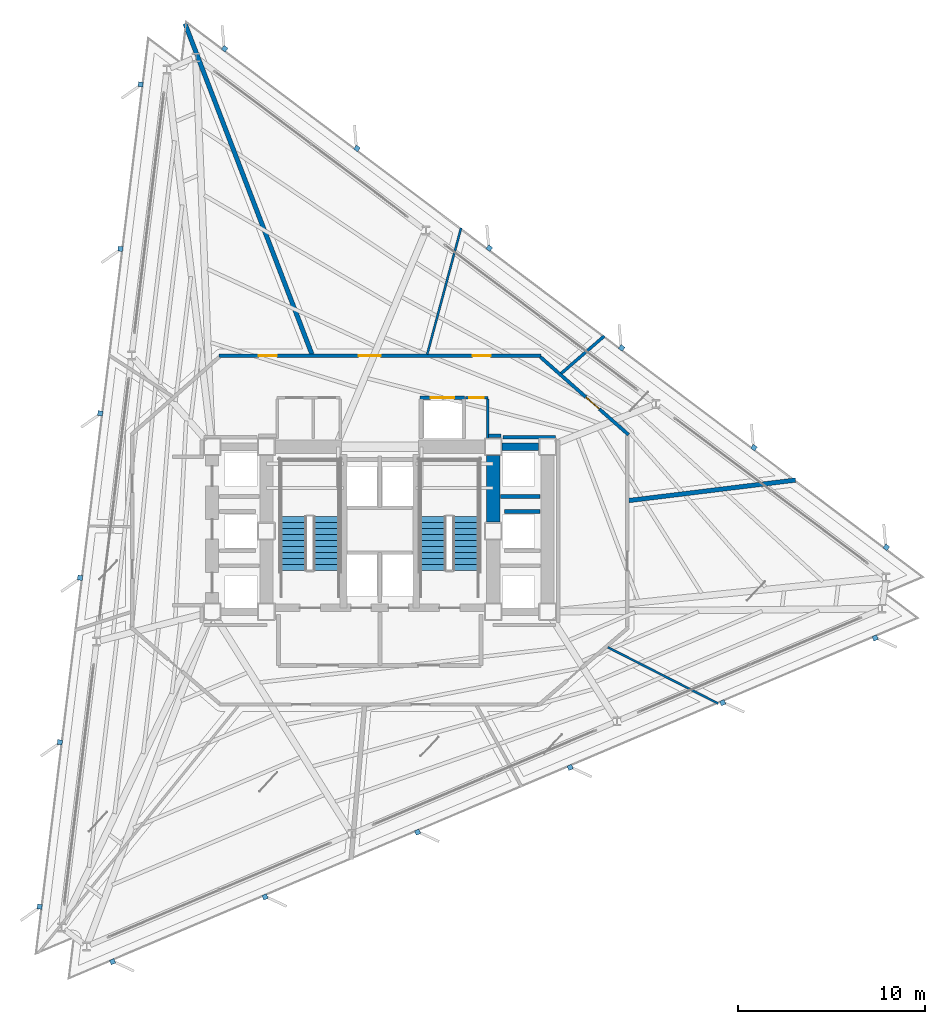
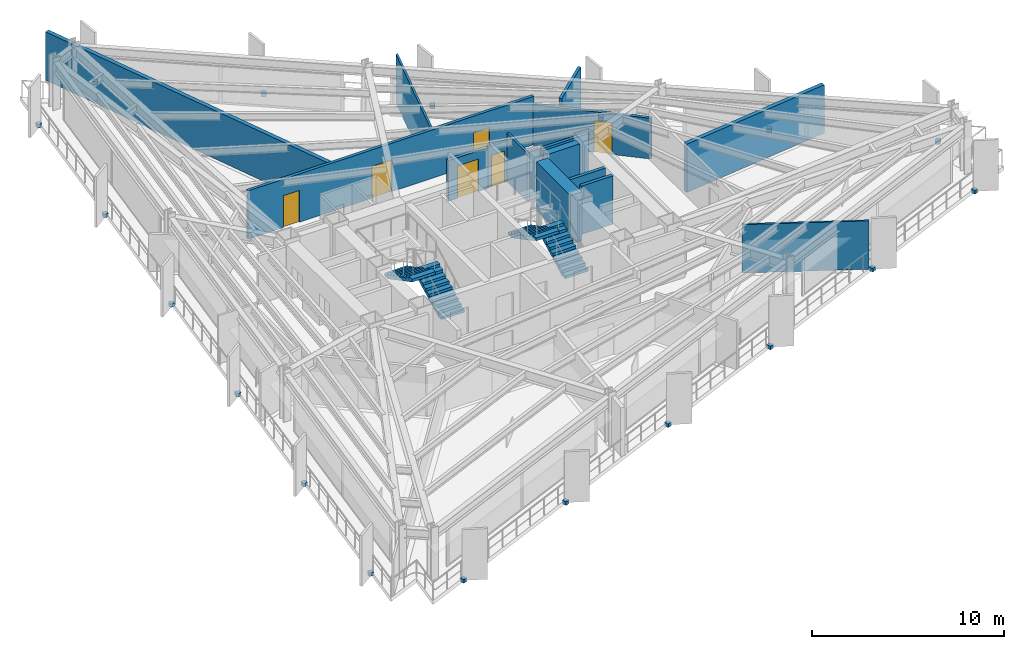
# One storey, part 8 of 13: 18 discrete accessories, 16 walls, 6 doors, 4 stair flights, 6 openings, 2 elements without a shape of their own.
"""IFC4 building model written with IfcOpenShell, lengths in metres."""

from ifc_helpers import new_model, si_unit, direction, frame, frame_2d, origin, origin_2d, place, context, subcontext, project, spatial, polyline, rectangle, outline, extrude, material, layer, layer_set, type_object, element, fill, aggregate, save


model = new_model("IFC4")

# Units and contexts
model_context = context("Model", 3, precision=1e-05, world=origin(), true_north=direction((0.0, 1.0)))
body_context = subcontext(model_context, "Body", "Model", "MODEL_VIEW")
ifc_project = project(units=[si_unit("LENGTHUNIT", "METRE"), si_unit("AREAUNIT", "SQUARE_METRE"), si_unit("VOLUMEUNIT", "CUBIC_METRE"), si_unit("PLANEANGLEUNIT", "RADIAN"), si_unit("MASSUNIT", "GRAM", prefix="KILO")], contexts=[model_context])

# Site, building, storey
site_placement = place(None, origin())
site = spatial("IfcSite", under=ifc_project, at=site_placement, CompositionType="ELEMENT")
building_placement = place(site_placement, origin())
building = spatial("IfcBuilding", under=site, at=building_placement, Name="Rocaltana Carrier Exchange", CompositionType="ELEMENT")
storey_placement = place(building_placement, frame((0.0, 0.0, 59.679931640625)))
storey = spatial("IfcBuildingStorey", under=building, at=storey_placement, Name="L18", CompositionType="ELEMENT", Elevation=59.679931640625)

# Walls
ifc_material_1 = material(Name="Double Acoustic Gypsum Partition", Category="gypsum")
ifc_layer_1 = layer(ifc_material_1, 0.159912109375)
ifc_layer_set_1 = layer_set([ifc_layer_1], Name="Double Acoustic Gypsum Partition")
wall_type_1 = type_object("IfcWallType", Name="Acoustic Studio Partition 160 EI60", PredefinedType="PARTITIONING", material=ifc_layer_set_1)
wall_1_placement = place(storey_placement, frame((9.68017578125, 8.414794921875, 0.0), z_axis=(0.0, 0.0, 1.0), x_axis=(0.754716123846, 0.656051501337, 0.0)))
element("IfcWall", 1, at=wall_1_placement, inside=storey, type_object=wall_type_1, Name="L18 Suite Divider Wall D7", PredefinedType="PARTITIONING", context=body_context, shape_type="SweptSolid", body=[
    extrude(rectangle(XDim=3.041015625, YDim=0.159912109375, at=frame_2d((1.5205078125, 0.0))), origin(), (0.0, 0.0, 1.0), 3.072998046875),
])
ifc_material_2 = material(Name="Concrete C50/60", Category="concrete")
ifc_layer_2 = layer(ifc_material_2, 0.39990234375)
ifc_layer_set_2 = layer_set([ifc_layer_2], Name="Concrete C50/60")
wall_type_2 = type_object("IfcWallType", Name="Core Internal Shear Wall 400", PredefinedType="SHEAR", material=ifc_layer_set_2)
wall_2_placement = place(storey_placement, frame((6.52490234375, 4.5, 0.0), z_axis=(0.0, 0.0, 1.0), x_axis=(1.0, 0.0, 0.0)))
element("IfcWall", 2, at=wall_2_placement, inside=storey, type_object=wall_type_2, Name="L18 Core Shear Wall CW-EWN", PredefinedType="SHEAR", context=body_context, shape_type="SweptSolid", body=[
    extrude(rectangle(XDim=1.9501953125, YDim=0.39990234375, at=frame_2d((0.97509765625, 0.0))), origin(), (0.0, 0.0, 1.0), 3.09814453125),
])
ifc_material_3 = material(Name="Concrete C60/75", Category="concrete")
ifc_layer_3 = layer(ifc_material_3, 0.699951171875)
ifc_layer_set_3 = layer_set([ifc_layer_3], Name="Concrete C60/75")
wall_type_3 = type_object("IfcWallType", Name="Core Shear Wall 700", PredefinedType="SHEAR", material=ifc_layer_set_3)
wall_3_placement = place(storey_placement, frame((6.050048828125, 0.47509765625, 0.0), z_axis=(0.0, 0.0, 1.0), x_axis=(0.0, 1.0, 0.0)))
element("IfcWall", 3, at=wall_3_placement, inside=storey, type_object=wall_type_3, Name="L18 Core Shear Wall CW-EN", PredefinedType="SHEAR", context=body_context, shape_type="SweptSolid", body=[
    extrude(rectangle(XDim=3.5498046875, YDim=0.699951171875, at=frame_2d((1.77490234375, 0.0))), origin(), (0.0, 0.0, 1.0), 3.09814453125),
])

# Wall, openings, doors
ifc_material_4 = material(Name="Gypsum & Steel Stud Partition", Category="steel")
ifc_layer_4 = layer(ifc_material_4, 0.179931640625)
ifc_layer_set_4 = layer_set([ifc_layer_4], Name="Gypsum & Steel Stud Partition")
wall_type_4 = type_object("IfcWallType", Name="Corridor Fire Partition 180 EI60", PredefinedType="PARTITIONING", material=ifc_layer_set_4)
wall_4_placement = place(storey_placement, frame((-8.590087890625, 9.35009765625, 0.0), z_axis=(0.0, 0.0, 1.0), x_axis=(1.0, 0.0, 0.0)))
wall_4 = element("IfcWall", 4, at=wall_4_placement, inside=storey, type_object=wall_type_4, Name="L18 Corridor Partition 1", PredefinedType="PARTITIONING", context=body_context, shape_type="SweptSolid", body=[
    extrude(rectangle(XDim=17.18017578125, YDim=0.179931640625, at=frame_2d((8.590087890625, 0.0))), origin(), (0.0, 0.0, 1.0), 3.072998046875),
])
opening_1_placement = place(wall_4_placement, frame((13.53955078125, 0.0, 0.0)))
opening_1 = element("IfcOpeningElement", 5, at=opening_1_placement, cuts=wall_4, Name="Opening D-RM098", PredefinedType="OPENING", context=body_context, shape_type="SweptSolid", body=[
    extrude(rectangle(XDim=0.9599609375, YDim=2.02001953125, at=frame_2d((0.47998046875, 1.010009765625))), frame((0.0, 0.099853515625, 0.0), z_axis=(0.0, -1.0, 0.0), x_axis=(1.0, 0.0, 0.0)), (0.0, 0.0, 1.0), 0.199951171875),
])
opening_2_placement = place(wall_4_placement, frame((7.453369140625, 0.0, 0.0)))
opening_2 = element("IfcOpeningElement", 6, at=opening_2_placement, cuts=wall_4, Name="Opening D-SU120", PredefinedType="OPENING", context=body_context, shape_type="SweptSolid", body=[
    extrude(rectangle(XDim=1.179931640625, YDim=2.02001953125, at=frame_2d((0.58984375, 1.010009765625))), frame((0.0, 0.099853515625, 0.0), z_axis=(0.0, -1.0, 0.0), x_axis=(1.0, 0.0, 0.0)), (0.0, 0.0, 1.0), 0.199951171875),
])
opening_3_placement = place(wall_4_placement, frame((2.132568359375, 0.0, 0.0)))
opening_3 = element("IfcOpeningElement", 7, at=opening_3_placement, cuts=wall_4, Name="Opening D-RM098", PredefinedType="OPENING", context=body_context, shape_type="SweptSolid", body=[
    extrude(rectangle(XDim=0.9599609375, YDim=2.02001953125, at=frame_2d((0.47998046875, 1.010009765625))), frame((0.0, 0.099853515625, 0.0), z_axis=(0.0, -1.0, 0.0), x_axis=(1.0, 0.0, 0.0)), (0.0, 0.0, 1.0), 0.199951171875),
])
ifc_material_5 = material(Name="Engineered Hardwood Timber", Category="wood")
door_type_1 = type_object("IfcDoorType", Name="Suite Double Entrance Door 1180x2020", OperationType="NOTDEFINED", PredefinedType="DOOR", material=ifc_material_5)
door_1_placement = place(opening_2_placement, origin())
door_1 = element("IfcDoor", 8, at=door_1_placement, inside=storey, type_object=door_type_1, Name="L18 Carrier Peering Suite Entrance Door", OperationType="SINGLE_SWING_LEFT", OverallHeight=2.02001953125, OverallWidth=1.179931640625, PredefinedType="DOOR", context=body_context, shape_type="SweptSolid", body=[
    extrude(rectangle(XDim=1.179931640625, YDim=2.02001953125, at=frame_2d((0.58984375, 1.010009765625))), frame((0.0, 0.02490234375, 0.0), z_axis=(0.0, -1.0, 0.0), x_axis=(1.0, 0.0, 0.0)), (0.0, 0.0, 1.0), 0.050048828125),
])
fill(opening_2, door_1)
ifc_material_6 = material(Name="Engineered Hardwood Timber", Category="wood")
door_type_2 = type_object("IfcDoorType", Name="Workspace Single Door 960x2020", OperationType="NOTDEFINED", PredefinedType="DOOR", material=ifc_material_6)
door_2_placement = place(opening_1_placement, origin())
door_2 = element("IfcDoor", 9, at=door_2_placement, inside=storey, type_object=door_type_2, Name="L18 Quiet Focus Lounge Entrance Door", OperationType="SINGLE_SWING_RIGHT", OverallHeight=2.02001953125, OverallWidth=0.9599609375, PredefinedType="DOOR", context=body_context, shape_type="SweptSolid", body=[
    extrude(rectangle(XDim=0.9599609375, YDim=2.02001953125, at=frame_2d((0.47998046875, 1.010009765625))), frame((0.0, 0.02490234375, 0.0), z_axis=(0.0, -1.0, 0.0), x_axis=(1.0, 0.0, 0.0)), (0.0, 0.0, 1.0), 0.050048828125),
])
fill(opening_1, door_2)
door_3_placement = place(opening_3_placement, origin())
door_3 = element("IfcDoor", 10, at=door_3_placement, inside=storey, type_object=door_type_2, Name="L18 Client Reception Foyer Entrance Door", OperationType="SINGLE_SWING_RIGHT", OverallHeight=2.02001953125, OverallWidth=0.9599609375, PredefinedType="DOOR", context=body_context, shape_type="SweptSolid", body=[
    extrude(rectangle(XDim=0.9599609375, YDim=2.02001953125, at=frame_2d((0.47998046875, 1.010009765625))), frame((0.0, 0.02490234375, 0.0), z_axis=(0.0, -1.0, 0.0), x_axis=(1.0, 0.0, 0.0)), (0.0, 0.0, 1.0), 0.050048828125),
])
fill(opening_3, door_3)

# Wall, opening, door
wall_5_placement = place(storey_placement, frame((8.5673828125, 9.290283203125, 0.0), z_axis=(0.0, 0.0, 1.0), x_axis=(0.749626463267, -0.66186113768, 0.0)))
wall_5 = element("IfcWall", 11, at=wall_5_placement, inside=storey, type_object=wall_type_4, Name="L18 Corridor Partition 2", PredefinedType="PARTITIONING", context=body_context, shape_type="SweptSolid", body=[
    extrude(rectangle(XDim=6.27001953125, YDim=0.179931640625, at=frame_2d((3.135009765625, 0.0))), origin(), (0.0, 0.0, 1.0), 2.587158203125),
])
opening_4_placement = place(wall_5_placement, frame((3.23193359375, 0.0, 0.0)))
opening_4 = element("IfcOpeningElement", 12, at=opening_4_placement, cuts=wall_5, Name="Opening D-RM098", PredefinedType="OPENING", context=body_context, shape_type="SweptSolid", body=[
    extrude(rectangle(XDim=0.9599609375, YDim=2.02001953125, at=frame_2d((0.47998046875, 1.010009765625))), frame((0.0, 0.099853515625, 0.0), z_axis=(0.0, -1.0, 0.0), x_axis=(1.0, 0.0, 0.0)), (0.0, 0.0, 1.0), 0.199951171875),
])
door_4_placement = place(opening_4_placement, origin())
door_4 = element("IfcDoor", 13, at=door_4_placement, inside=storey, type_object=door_type_2, Name="L18 Client Reception Foyer Entrance Door", OperationType="SINGLE_SWING_LEFT", OverallHeight=2.02001953125, OverallWidth=0.9599609375, PredefinedType="DOOR", context=body_context, shape_type="SweptSolid", body=[
    extrude(rectangle(XDim=0.9599609375, YDim=2.02001953125, at=frame_2d((0.47998046875, 1.010009765625))), frame((0.0, 0.02490234375, 0.0), z_axis=(0.0, -1.0, 0.0), x_axis=(1.0, 0.0, 0.0)), (0.0, 0.0, 1.0), 0.050048828125),
])
fill(opening_4, door_4)

# Walls
wall_6_placement = place(storey_placement, frame((9.3701171875, 5.010009765625, 0.0), z_axis=(0.0, 0.0, 1.0), x_axis=(-1.0, 0.0, 0.0)))
element("IfcWall", 14, at=wall_6_placement, inside=storey, type_object=wall_type_4, Name="L18 Corridor Partition 18", PredefinedType="PARTITIONING", context=body_context, shape_type="SweptSolid", body=[
    extrude(rectangle(XDim=2.807861328125, YDim=0.179931640625, at=frame_2d((1.40380859375, 0.0))), origin(), (0.0, 0.0, 1.0), 3.072998046875),
])
wall_7_placement = place(storey_placement, frame((6.469970703125, 5.080078125, 0.0), z_axis=(0.0, 0.0, 1.0), x_axis=(-1.0, 0.0, 0.0)))
element("IfcWall", 15, at=wall_7_placement, inside=storey, type_object=wall_type_4, Name="L18 Corridor Partition 19", PredefinedType="PARTITIONING", context=body_context, shape_type="SweptSolid", body=[
    extrude(rectangle(XDim=0.679931640625, YDim=0.179931640625, at=frame_2d((0.33984375, 0.0))), origin(), (0.0, 0.0, 1.0), 3.072998046875),
])
ifc_material_7 = material(Name="Aluminium 6063-T6 & Acoustic Glass", Category="aluminium")
ifc_layer_5 = layer(ifc_material_7, 0.114990234375)
ifc_layer_set_5 = layer_set([ifc_layer_5], Name="Aluminium 6063-T6 & Acoustic Glass")
wall_type_5 = type_object("IfcWallType", Name="Demountable Glazed Lab Partition 115", PredefinedType="MOVABLE", material=ifc_layer_set_5)
wall_8_placement = place(storey_placement, frame((12.164306640625, -6.197998046875, 0.0), z_axis=(0.0, 0.0, 1.0), x_axis=(0.891002560884, -0.453998278079, 0.0)))
element("IfcWall", 16, at=wall_8_placement, inside=storey, type_object=wall_type_5, Name="L18 Suite Divider Wall D5", PredefinedType="MOVABLE", context=body_context, shape_type="SweptSolid", body=[
    extrude(rectangle(XDim=6.6083984375, YDim=0.114990234375, at=frame_2d((3.30419921875, 0.0))), origin(), (0.0, 0.0, 1.0), 3.072998046875),
])
wall_9_placement = place(storey_placement, frame((2.52685546875, 9.429931640625, 0.0), z_axis=(0.0, 0.0, 1.0), x_axis=(0.258803716415, 0.965929933468, 0.0)))
element("IfcWall", 17, at=wall_9_placement, inside=storey, type_object=wall_type_5, Name="L18 Suite Divider Wall D8", PredefinedType="MOVABLE", context=body_context, shape_type="SweptSolid", body=[
    extrude(rectangle(XDim=6.97705078125, YDim=0.114990234375, at=frame_2d((3.488525390625, 0.0))), origin(), (0.0, 0.0, 1.0), 3.072998046875),
])
ifc_material_8 = material(Name="Acoustic Calcium Silicate Partition", Category="gypsum")
ifc_layer_6 = layer(ifc_material_8, 0.239990234375)
ifc_layer_set_6 = layer_set([ifc_layer_6], Name="Acoustic Calcium Silicate Partition")
wall_type_6 = type_object("IfcWallType", Name="Heavy Lab Partition 240 EI90", PredefinedType="PARTITIONING", material=ifc_layer_set_6)
wall_10_placement = place(storey_placement, frame((13.280029296875, 1.630615234375, 0.0), z_axis=(0.0, 0.0, 1.0), x_axis=(0.992547039209, 0.121862114529, 0.0)))
element("IfcWall", 18, at=wall_10_placement, inside=storey, type_object=wall_type_6, Name="L18 Suite Divider Wall D6", PredefinedType="PARTITIONING", context=body_context, shape_type="SweptSolid", body=[
    extrude(rectangle(XDim=8.96337890625, YDim=0.239990234375, at=frame_2d((4.481689453125, 0.0))), origin(), (0.0, 0.0, 1.0), 3.072998046875),
])
wall_11_placement = place(storey_placement, frame((-3.619873046875, 9.429931640625, 0.0), z_axis=(0.0, 0.0, 1.0), x_axis=(-0.358366182081, 0.933581104961, 0.0)))
element("IfcWall", 19, at=wall_11_placement, inside=storey, type_object=wall_type_6, Name="L18 Suite Divider Wall D9", PredefinedType="PARTITIONING", context=body_context, shape_type="SweptSolid", body=[
    extrude(rectangle(XDim=18.90087890625, YDim=0.239990234375, at=frame_2d((9.450439453125, 0.0))), origin(), (0.0, 0.0, 1.0), 3.072998046875),
])

# Wall, opening, door
ifc_material_9 = material(Name="Reinforced Concrete Block C35/45", Category="concrete")
ifc_layer_7 = layer(ifc_material_9, 0.199951171875)
ifc_layer_set_7 = layer_set([ifc_layer_7], Name="Reinforced Concrete Block C35/45")
wall_type_7 = type_object("IfcWallType", Name="Lift Hoistway Enclosure Wall 200 EI120", PredefinedType="PARTITIONING", material=ifc_layer_set_7)
wall_12_placement = place(storey_placement, frame((2.14990234375, 7.1201171875, 0.0), z_axis=(0.0, 0.0, 1.0), x_axis=(1.0, 0.0, 0.0)))
wall_12 = element("IfcWall", 20, at=wall_12_placement, inside=storey, type_object=wall_type_7, Name="L18 Goods Lift Front Wall", PredefinedType="PARTITIONING", context=body_context, shape_type="SweptSolid", body=[
    extrude(rectangle(XDim=2.380126953125, YDim=0.199951171875, at=frame_2d((1.18994140625, 0.0))), origin(), (0.0, 0.0, 1.0), 2.587158203125),
])
opening_5_placement = place(wall_12_placement, frame((0.56005859375, 0.0, 0.0)))
opening_5 = element("IfcOpeningElement", 21, at=opening_5_placement, cuts=wall_12, Name="Opening LD-130", PredefinedType="OPENING", context=body_context, shape_type="SweptSolid", body=[
    extrude(rectangle(XDim=1.260009765625, YDim=2.06005859375, at=frame_2d((0.6298828125, 1.030029296875))), frame((0.0, 0.10986328125, 0.0), z_axis=(0.0, -1.0, 0.0), x_axis=(1.0, 0.0, 0.0)), (0.0, 0.0, 1.0), 0.219970703125),
])
ifc_material_10 = material(Name="Brushed Stainless Sliding Door Leaf", Category="steel")
door_type_3 = type_object("IfcDoorType", Name="Goods Lift Landing Sliding Door 1260x2060", OperationType="NOTDEFINED", PredefinedType="DOOR", material=ifc_material_10)
door_5_placement = place(opening_5_placement, origin())
door_5 = element("IfcDoor", 22, at=door_5_placement, inside=storey, type_object=door_type_3, Name="L18 Goods Lift GL-1 Landing Door", OperationType="SLIDING_TO_LEFT", OverallHeight=2.06005859375, OverallWidth=1.260009765625, PredefinedType="DOOR", context=body_context, shape_type="SweptSolid", body=[
    extrude(rectangle(XDim=1.260009765625, YDim=2.06005859375, at=frame_2d((0.6298828125, 1.030029296875))), frame((0.0, 0.02490234375, 0.0), z_axis=(0.0, -1.0, 0.0), x_axis=(1.0, 0.0, 0.0)), (0.0, 0.0, 1.0), 0.050048828125),
])
fill(opening_5, door_5)

# Walls
wall_13_placement = place(storey_placement, frame((6.449951171875, 1.85009765625, 0.0), z_axis=(0.0, 0.0, 1.0), x_axis=(1.0, 0.0, 0.0)))
element("IfcWall", 23, at=wall_13_placement, inside=storey, type_object=wall_type_7, Name="L18 Mid-Rise Shaft Divider 2", PredefinedType="PARTITIONING", context=body_context, shape_type="SweptSolid", body=[
    extrude(rectangle(XDim=2.10009765625, YDim=0.199951171875, at=frame_2d((1.050048828125, 0.0))), origin(), (0.0, 0.0, 1.0), 3.072998046875),
])
wall_14_placement = place(storey_placement, frame((6.639892578125, 1.050048828125, 0.0), z_axis=(0.0, 0.0, 1.0), x_axis=(1.0, 0.0, 0.0)))
element("IfcWall", 24, at=wall_14_placement, inside=storey, type_object=wall_type_7, Name="L18 Mid-Rise Center Shaft Wall North", PredefinedType="PARTITIONING", context=body_context, shape_type="SweptSolid", body=[
    extrude(rectangle(XDim=1.91015625, YDim=0.199951171875, at=frame_2d((0.955078125, 0.0))), origin(), (0.0, 0.0, 1.0), 3.072998046875),
])
ifc_material_11 = material(Name="Moisture-Resistant Masonry C30/37", Category="masonry")
ifc_layer_8 = layer(ifc_material_11, 0.139892578125)
ifc_layer_set_8 = layer_set([ifc_layer_8], Name="Moisture-Resistant Masonry C30/37")
wall_type_8 = type_object("IfcWallType", Name="Wet-Area Sanitary Partition 140", PredefinedType="PARTITIONING", material=ifc_layer_set_8)
wall_15_placement = place(storey_placement, frame((5.760009765625, 4.949951171875, 0.0), z_axis=(0.0, 0.0, 1.0), x_axis=(0.0, 1.0, 0.0)))
element("IfcWall", 25, at=wall_15_placement, inside=storey, type_object=wall_type_8, Name="L18 Riser East Wall", PredefinedType="PARTITIONING", context=body_context, shape_type="SweptSolid", body=[
    extrude(rectangle(XDim=2.10009765625, YDim=0.139892578125, at=frame_2d((1.050048828125, 0.0))), origin(), (0.0, 0.0, 1.0), 3.072998046875),
])

# Wall, opening, door
wall_16_placement = place(storey_placement, frame((4.56005859375, 7.1201171875, 0.0), z_axis=(0.0, 0.0, 1.0), x_axis=(1.0, 0.0, 0.0)))
wall_16 = element("IfcWall", 26, at=wall_16_placement, inside=storey, type_object=wall_type_8, Name="L18 Riser North Wall", PredefinedType="PARTITIONING", context=body_context, shape_type="SweptSolid", body=[
    extrude(rectangle(XDim=1.199951171875, YDim=0.139892578125, at=frame_2d((0.60009765625, 0.0))), origin(), (0.0, 0.0, 1.0), 2.587158203125),
])
opening_6_placement = place(wall_16_placement, frame((0.2099609375, 0.0, 0.0)))
opening_6 = element("IfcOpeningElement", 27, at=opening_6_placement, cuts=wall_16, Name="Opening D-RS082", PredefinedType="OPENING", context=body_context, shape_type="SweptSolid", body=[
    extrude(rectangle(XDim=0.780029296875, YDim=2.010009765625, at=frame_2d((0.39013671875, 1.0048828125))), frame((0.0, 0.079833984375, 0.0), z_axis=(0.0, -1.0, 0.0), x_axis=(1.0, 0.0, 0.0)), (0.0, 0.0, 1.0), 0.159912109375),
])
ifc_material_12 = material(Name="Hollow Metal Access Door Leaf", Category="steel")
door_type_4 = type_object("IfcDoorType", Name="Riser & Service Closet Door 780x2010", OperationType="NOTDEFINED", PredefinedType="DOOR", material=ifc_material_12)
door_6_placement = place(opening_6_placement, origin())
door_6 = element("IfcDoor", 28, at=door_6_placement, inside=storey, type_object=door_type_4, Name="L18 Fibre Riser Closet Door", OperationType="SINGLE_SWING_RIGHT", OverallHeight=2.010009765625, OverallWidth=0.780029296875, PredefinedType="DOOR", context=body_context, shape_type="SweptSolid", body=[
    extrude(rectangle(XDim=0.780029296875, YDim=2.010009765625, at=frame_2d((0.39013671875, 1.0048828125))), frame((0.0, 0.02490234375, 0.0), z_axis=(0.0, -1.0, 0.0), x_axis=(1.0, 0.0, 0.0)), (0.0, 0.0, 1.0), 0.050048828125),
])
fill(opening_6, door_6)

# Stair, stair flights
ifc_material_13 = material(Name="Precast concrete C45/55", Category="concrete")
stair_type = type_object("IfcStairType", Name="Standard Dog-Leg Stair 160", PredefinedType="HALF_TURN_STAIR", material=ifc_material_13)
stair_1_placement = place(storey_placement, origin())
stair_1 = element("IfcStair", 29, at=stair_1_placement, inside=storey, type_object=stair_type, Name="L18 Core West Exit Stair ST-1", PredefinedType="HALF_TURN_STAIR")
ifc_material_14 = material(Name="Precast concrete C45/55", Category="concrete")
stair_flight_type = type_object("IfcStairFlightType", Name="Precast Stair Flight 160", PredefinedType="STRAIGHT", material=ifc_material_14)
stair_flight_1_placement = place(storey_placement, frame((-2.840087890625, -2.10009765625, 0.0), z_axis=(0.0, 0.0, 1.0), x_axis=(0.0, 1.0, 0.0)))
stair_flight_1 = element("IfcStairFlight", 30, at=stair_flight_1_placement, type_object=stair_flight_type, Name="ST-1 flight 1", NumberOfRisers=10, NumberOfTreads=9, PredefinedType="STRAIGHT", RiserHeight=0.168, TreadLength=0.32, context=body_context, shape_type="SweptSolid", body=[
    extrude(outline(polyline([(0.0, 0.0), (0.0, 0.16796875), (0.320068359375, 0.16796875), (0.320068359375, 0.3359375), (0.639892578125, 0.3359375), (0.639892578125, 0.50390625), (0.9599609375, 0.50390625), (0.9599609375, 0.672119140625), (1.280029296875, 0.672119140625), (1.280029296875, 0.840087890625), (1.60009765625, 0.840087890625), (1.60009765625, 1.008056640625), (1.919921875, 1.008056640625), (1.919921875, 1.176025390625), (2.239990234375, 1.176025390625), (2.239990234375, 1.343994140625), (2.56005859375, 1.343994140625), (2.56005859375, 1.511962890625), (2.8798828125, 1.511962890625), (2.8798828125, 1.679931640625), (2.8798828125, 1.331298828125), (0.343994140625, 0.0), (0.0, 0.0)])), frame((0.0, 0.699951171875, 0.0), z_axis=(0.0, -1.0, 0.0), x_axis=(1.0, 0.0, 0.0)), (0.0, 0.0, 1.0), 1.39990234375),
])
stair_flight_2_placement = place(storey_placement, frame((-4.60009765625, 0.780029296875, 1.68017578125), z_axis=(0.0, 0.0, 1.0), x_axis=(0.0, -1.0, 0.0)))
stair_flight_2 = element("IfcStairFlight", 31, at=stair_flight_2_placement, type_object=stair_flight_type, Name="ST-1 flight 2", NumberOfRisers=10, NumberOfTreads=9, PredefinedType="STRAIGHT", RiserHeight=0.168, TreadLength=0.32, context=body_context, shape_type="SweptSolid", body=[
    extrude(outline(polyline([(0.0, 0.0), (0.0, 0.16796875), (0.320068359375, 0.16796875), (0.320068359375, 0.3359375), (0.639892578125, 0.3359375), (0.639892578125, 0.50390625), (0.9599609375, 0.50390625), (0.9599609375, 0.672119140625), (1.280029296875, 0.672119140625), (1.280029296875, 0.840087890625), (1.60009765625, 0.840087890625), (1.60009765625, 1.008056640625), (1.919921875, 1.008056640625), (1.919921875, 1.176025390625), (2.239990234375, 1.176025390625), (2.239990234375, 1.343994140625), (2.56005859375, 1.343994140625), (2.56005859375, 1.511962890625), (2.8798828125, 1.511962890625), (2.8798828125, 1.679931640625), (2.8798828125, 1.331298828125), (0.343994140625, 0.0), (0.0, 0.0)])), frame((0.0, 0.699951171875, 0.0), z_axis=(0.0, -1.0, 0.0), x_axis=(1.0, 0.0, 0.0)), (0.0, 0.0, 1.0), 1.39990234375),
])
aggregate(stair_1, [stair_flight_1, stair_flight_2])

stair_2_placement = place(storey_placement, origin())
stair_2 = element("IfcStair", 32, at=stair_2_placement, inside=storey, type_object=stair_type, Name="L18 Core East Exit Stair ST-2", PredefinedType="HALF_TURN_STAIR")
stair_flight_3_placement = place(storey_placement, frame((4.60009765625, -2.10009765625, 0.0), z_axis=(0.0, 0.0, 1.0), x_axis=(0.0, 1.0, 0.0)))
stair_flight_3 = element("IfcStairFlight", 33, at=stair_flight_3_placement, type_object=stair_flight_type, Name="ST-2 flight 1", NumberOfRisers=10, NumberOfTreads=9, PredefinedType="STRAIGHT", RiserHeight=0.168, TreadLength=0.32, context=body_context, shape_type="SweptSolid", body=[
    extrude(outline(polyline([(0.0, 0.0), (0.0, 0.16796875), (0.320068359375, 0.16796875), (0.320068359375, 0.3359375), (0.639892578125, 0.3359375), (0.639892578125, 0.50390625), (0.9599609375, 0.50390625), (0.9599609375, 0.672119140625), (1.280029296875, 0.672119140625), (1.280029296875, 0.840087890625), (1.60009765625, 0.840087890625), (1.60009765625, 1.008056640625), (1.919921875, 1.008056640625), (1.919921875, 1.176025390625), (2.239990234375, 1.176025390625), (2.239990234375, 1.343994140625), (2.56005859375, 1.343994140625), (2.56005859375, 1.511962890625), (2.8798828125, 1.511962890625), (2.8798828125, 1.679931640625), (2.8798828125, 1.331298828125), (0.343994140625, 0.0), (0.0, 0.0)])), frame((0.0, 0.699951171875, 0.0), z_axis=(0.0, -1.0, 0.0), x_axis=(1.0, 0.0, 0.0)), (0.0, 0.0, 1.0), 1.39990234375),
])
stair_flight_4_placement = place(storey_placement, frame((2.840087890625, 0.780029296875, 1.68017578125), z_axis=(0.0, 0.0, 1.0), x_axis=(0.0, -1.0, 0.0)))
stair_flight_4 = element("IfcStairFlight", 34, at=stair_flight_4_placement, type_object=stair_flight_type, Name="ST-2 flight 2", NumberOfRisers=10, NumberOfTreads=9, PredefinedType="STRAIGHT", RiserHeight=0.168, TreadLength=0.32, context=body_context, shape_type="SweptSolid", body=[
    extrude(outline(polyline([(0.0, 0.0), (0.0, 0.16796875), (0.320068359375, 0.16796875), (0.320068359375, 0.3359375), (0.639892578125, 0.3359375), (0.639892578125, 0.50390625), (0.9599609375, 0.50390625), (0.9599609375, 0.672119140625), (1.280029296875, 0.672119140625), (1.280029296875, 0.840087890625), (1.60009765625, 0.840087890625), (1.60009765625, 1.008056640625), (1.919921875, 1.008056640625), (1.919921875, 1.176025390625), (2.239990234375, 1.176025390625), (2.239990234375, 1.343994140625), (2.56005859375, 1.343994140625), (2.56005859375, 1.511962890625), (2.8798828125, 1.511962890625), (2.8798828125, 1.679931640625), (2.8798828125, 1.331298828125), (0.343994140625, 0.0), (0.0, 0.0)])), frame((0.0, 0.699951171875, 0.0), z_axis=(0.0, -1.0, 0.0), x_axis=(1.0, 0.0, 0.0)), (0.0, 0.0, 1.0), 1.39990234375),
])
aggregate(stair_2, [stair_flight_3, stair_flight_4])

# Discrete accessories
ifc_material_15 = material(Name="Brushed Architectural Stainless Metal", Category="steel")
ifc_layer_9 = layer(ifc_material_15, 0.219970703125)
ifc_layer_set_9 = layer_set([ifc_layer_9], Name="Brushed Architectural Stainless Metal")
discrete_accessory_type = type_object("IfcDiscreteAccessoryType", Name="Stainless Fin Slab-Edge Bracket 260x260x220", PredefinedType="BRACKET", material=ifc_layer_set_9)
for number, where, z_axis, x_axis, name in (
    (35, (27.0205078125, -0.86474609375, -0.2099609375), (0.0, 0.0, 1.0), (-0.798635510047, 0.601815023152, 0.0), "L18 Sandstone Fin Edge Bracket F1-01"),
    (36, (19.960693359375, 4.455322265625, -0.2099609375), (0.0, 0.0, 1.0), (-0.798635510047, 0.601815023152, 0.0), "L18 Sandstone Fin Edge Bracket F1-02"),
    (37, (12.900634765625, 9.775390625, -0.2099609375), (0.0, 0.0, 1.0), (-0.798635510047, 0.601815023152, 0.0), "L18 Sandstone Fin Edge Bracket F1-03"),
    (38, (5.8408203125, 15.095458984375, -0.2099609375), (0.0, 0.0, 1.0), (-0.798635510047, 0.601815023152, 0.0), "L18 Sandstone Fin Edge Bracket F1-04"),
    (39, (-1.21923828125, 20.415283203125, -0.2099609375), (0.0, 0.0, 1.0), (-0.798635510047, 0.601815023152, 0.0), "L18 Sandstone Fin Edge Bracket F1-05"),
    (40, (-8.279296875, 25.7353515625, -0.2099609375), (0.0, 0.0, 1.0), (-0.798635510047, 0.601815023152, 0.0), "L18 Sandstone Fin Edge Bracket F1-06"),
    (41, (-12.76123046875, 23.8330078125, -0.2099609375), (0.0, 0.0, 1.0), (-0.121869343405, -0.992546151641, 0.0), "L18 Sandstone Fin Edge Bracket F2-01"),
    (42, (-13.838623046875, 15.058837890625, -0.2099609375), (0.0, 0.0, 1.0), (-0.121869343405, -0.992546151641, 0.0), "L18 Sandstone Fin Edge Bracket F2-02"),
    (43, (-14.916015625, 6.28466796875, -0.2099609375), (0.0, 0.0, 1.0), (-0.121869343405, -0.992546151641, 0.0), "L18 Sandstone Fin Edge Bracket F2-03"),
    (44, (-15.993408203125, -2.489501953125, -0.2099609375), (0.0, 0.0, 1.0), (-0.121869343405, -0.992546151641, 0.0), "L18 Sandstone Fin Edge Bracket F2-04"),
    (45, (-17.070556640625, -11.263671875, -0.2099609375), (0.0, 0.0, 1.0), (-0.121869343405, -0.992546151641, 0.0), "L18 Sandstone Fin Edge Bracket F2-05"),
    (46, (-18.14794921875, -20.03759765625, -0.2099609375), (0.0, 0.0, 1.0), (-0.121869343405, -0.992546151641, 0.0), "L18 Sandstone Fin Edge Bracket F2-06"),
    (47, (-14.25927734375, -22.968017578125, -0.2099609375), (0.0, 0.0, 1.0), (0.920504853452, 0.390731128489, 0.0), "L18 Sandstone Fin Edge Bracket F3-01"),
    (48, (-6.121826171875, -19.513916015625, -0.2099609375), (0.0, 0.0, 1.0), (0.920504853452, 0.390731128489, 0.0), "L18 Sandstone Fin Edge Bracket F3-02"),
    (49, (2.015380859375, -16.06005859375, -0.2099609375), (0.0, 0.0, 1.0), (0.920504853452, 0.390731128489, 0.0), "L18 Sandstone Fin Edge Bracket F3-03"),
    (50, (10.152587890625, -12.60595703125, -0.2099609375), (0.0, 0.0, 1.0), (0.920504853452, 0.390731128489, 0.0), "L18 Sandstone Fin Edge Bracket F3-04"),
    (51, (18.289794921875, -9.15185546875, -0.2099609375), (0.0, 0.0, 1.0), (0.920504853452, 0.390731128489, 0.0), "L18 Sandstone Fin Edge Bracket F3-05"),
    (52, (26.427001953125, -5.69775390625, -0.2099609375), (0.0, 0.0, 1.0), (0.920504853452, 0.390731128489, 0.0), "L18 Sandstone Fin Edge Bracket F3-06"),
):
    element("IfcDiscreteAccessory", number, at=place(storey_placement, frame(where, z_axis=z_axis, x_axis=x_axis)), inside=storey, type_object=discrete_accessory_type, Name=name, PredefinedType="BRACKET", context=body_context, shape_type="SweptSolid", body=[
        extrude(rectangle(XDim=0.260009765625, YDim=0.260009765625, at=origin_2d()), origin(), (0.0, 0.0, 1.0), 0.219970703125),
    ])

save(model, "model.ifc")
